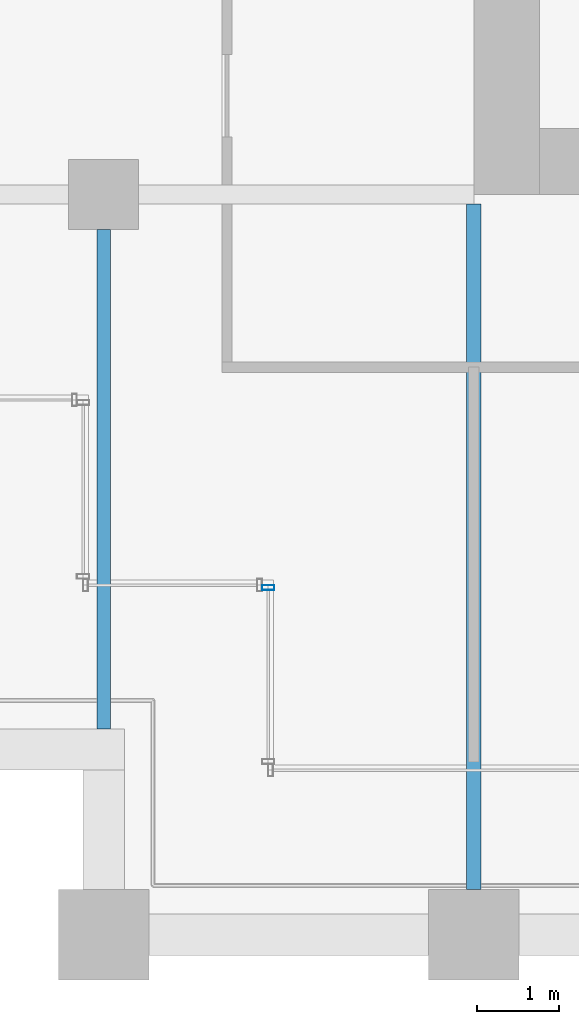
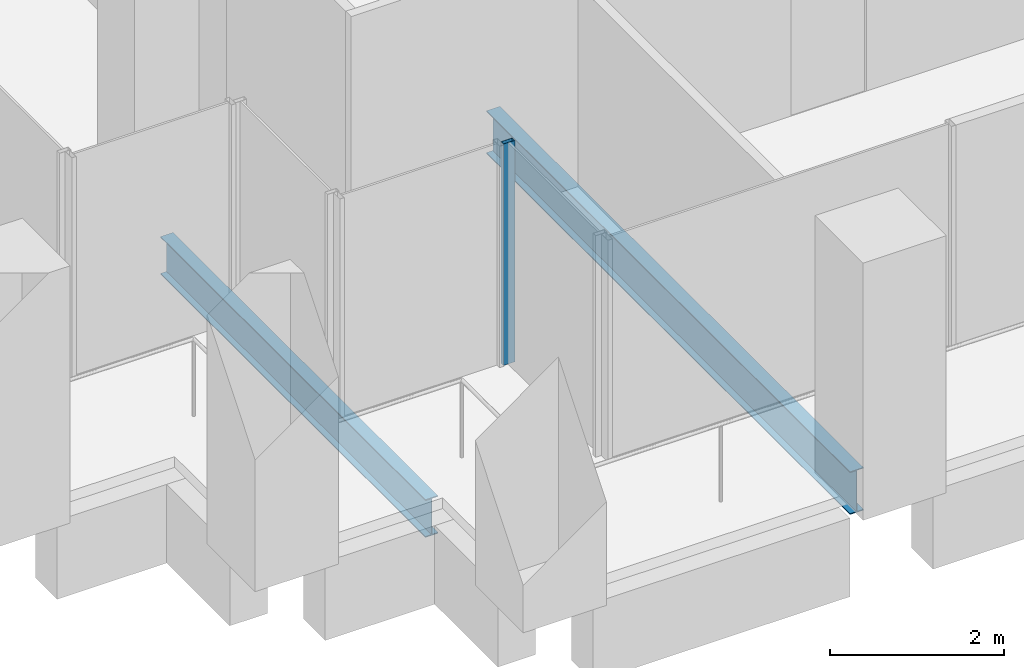
# One storey, part 35 of 56: 2 beams, 1 member, 1 element without a shape of its own.
"""IFC4 building model written with IfcOpenShell, lengths in metres."""

from ifc_helpers import new_model, si_unit, direction, frame, origin, origin_2d, place, context, subcontext, project, spatial, hollow_rectangle, i_section, extrude, material, material_profile, profile_set, type_object, element, aggregate, save


model = new_model("IFC4")

# Units and contexts
model_context = context("Model", 3, precision=1e-05, world=origin(), true_north=direction((0.0, 1.0)))
body_context = subcontext(model_context, "Body", "Model", "MODEL_VIEW")
ifc_project = project(units=[si_unit("LENGTHUNIT", "METRE"), si_unit("AREAUNIT", "SQUARE_METRE"), si_unit("VOLUMEUNIT", "CUBIC_METRE"), si_unit("PLANEANGLEUNIT", "RADIAN"), si_unit("MASSUNIT", "GRAM", prefix="KILO")], contexts=[model_context])

# Site, building, storey
site_placement = place(None, origin())
site = spatial("IfcSite", under=ifc_project, at=site_placement, CompositionType="ELEMENT")
building_placement = place(site_placement, origin())
building = spatial("IfcBuilding", under=site, at=building_placement, Name="Altepetl Exchange Towers", CompositionType="ELEMENT")
storey_placement = place(building_placement, frame((0.0, 0.0, 76.199951171875)))
storey = spatial("IfcBuildingStorey", under=building, at=storey_placement, Name="L18", CompositionType="ELEMENT", Elevation=76.199951171875)

# Beams
ifc_material_1 = material(Name="Steel S355", Category="steel")
ifc_material_profile_1 = material_profile(ifc_material_1, i_section(OverallWidth=0.166015625, OverallDepth=0.529052734375, WebThickness=0.009765625, FlangeThickness=0.013671875, at=origin_2d()), Name="W21X50")
ifc_profile_set_1 = profile_set([ifc_material_profile_1], Name="Steel S355")
beam_type_1 = type_object("IfcBeamType", Name="Floor beam W21X50", PredefinedType="BEAM", material=ifc_profile_set_1)
beam_1_placement = place(storey_placement, frame((99.0, 29.5, -0.41455078125), z_axis=(0.0, 1.0, 0.0), x_axis=(-1.0, 0.0, 0.0)))
element("IfcBeam", 1, at=beam_1_placement, inside=storey, type_object=beam_type_1, Name="bm:B:L18:008", PredefinedType="BEAM", context=body_context, shape_type="SweptSolid", body=[
    extrude(i_section(OverallWidth=0.166015625, OverallDepth=0.529052734375, WebThickness=0.009765625, FlangeThickness=0.013671875, at=origin_2d()), origin(), (0.0, 0.0, 1.0), 6.074951171875),
])
ifc_material_profile_2 = material_profile(ifc_material_1, i_section(OverallWidth=0.177978515625, OverallDepth=0.59912109375, WebThickness=0.010009765625, FlangeThickness=0.0126953125, at=origin_2d()), Name="W24X55")
ifc_profile_set_2 = profile_set([ifc_material_profile_2], Name="Steel S355")
beam_type_2 = type_object("IfcBeamType", Name="Floor beam W24X55", PredefinedType="BEAM", material=ifc_profile_set_2)
beam_2_placement = place(storey_placement, frame((103.5, 27.550048828125, -0.449462890625), z_axis=(0.0, 1.0, 0.0), x_axis=(-1.0, 0.0, 0.0)))
element("IfcBeam", 2, at=beam_2_placement, inside=storey, type_object=beam_type_2, Name="bm:B:L18:009", PredefinedType="BEAM", context=body_context, shape_type="SweptSolid", body=[
    extrude(i_section(OverallWidth=0.177978515625, OverallDepth=0.59912109375, WebThickness=0.010009765625, FlangeThickness=0.0126953125, at=origin_2d()), origin(), (0.0, 0.0, 1.0), 8.3359375),
])

# Curtain wall, member
ifc_material_2 = material(Name="Aluminium 6063-T6 glazing", Category="aluminium")
curtain_wall_type = type_object("IfcCurtainWallType", Name="Loggia glazing system", PredefinedType="NOTDEFINED", material=ifc_material_2)
curtain_wall_placement = place(storey_placement, origin())
curtain_wall = element("IfcCurtainWall", 3, at=curtain_wall_placement, inside=storey, type_object=curtain_wall_type, Name="CW1 run", PredefinedType="NOTDEFINED")
ifc_material_3 = material(Name="Aluminium 6063-T6", Category="aluminium")
ifc_material_profile_3 = material_profile(ifc_material_3, hollow_rectangle(XDim=0.06005859375, YDim=0.14990234375, WallThickness=0.0029296875, at=origin_2d()), Name="Mullion 60x150 aluminium")
ifc_profile_set_3 = profile_set([ifc_material_profile_3], Name="Aluminium 6063-T6")
member_type = type_object("IfcMemberType", Name="Mullion 60x150 aluminium", PredefinedType="MULLION", material=ifc_profile_set_3)
member_placement = place(storey_placement, frame((101.0, 31.219970703125, 0.0), z_axis=(0.0, 0.0, 1.0), x_axis=(0.0, -1.0, 0.0)))
member = element("IfcMember", 4, at=member_placement, type_object=member_type, Name="MU1 mullion", PredefinedType="MULLION", context=body_context, shape_type="SweptSolid", body=[
    extrude(hollow_rectangle(XDim=0.06005859375, YDim=0.14990234375, WallThickness=0.0029296875, at=origin_2d()), origin(), (0.0, 0.0, 1.0), 3.10009765625),
])
aggregate(curtain_wall, [member])

save(model, "model.ifc")
